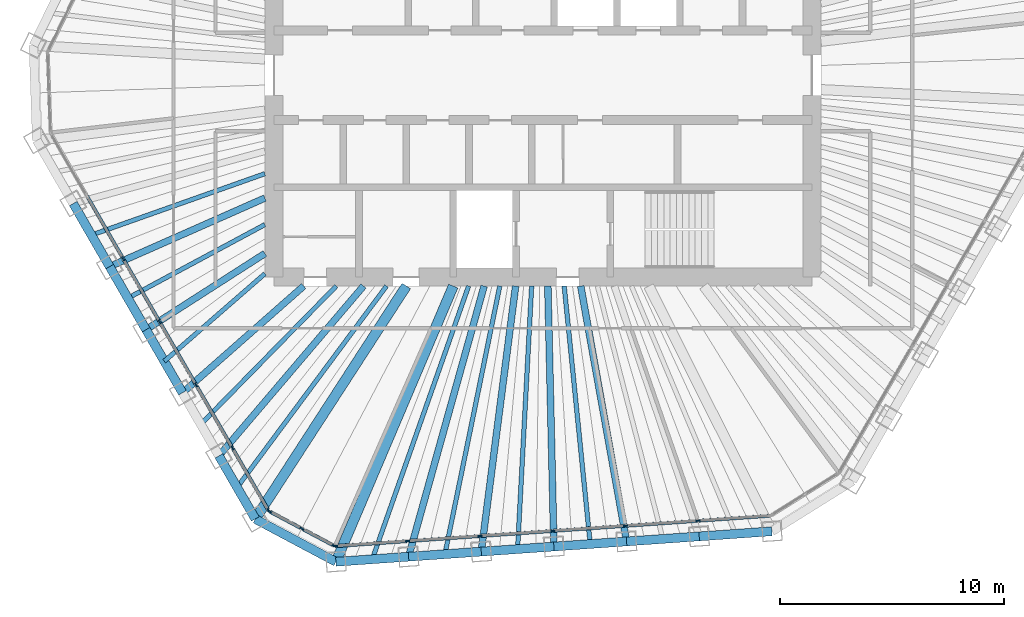
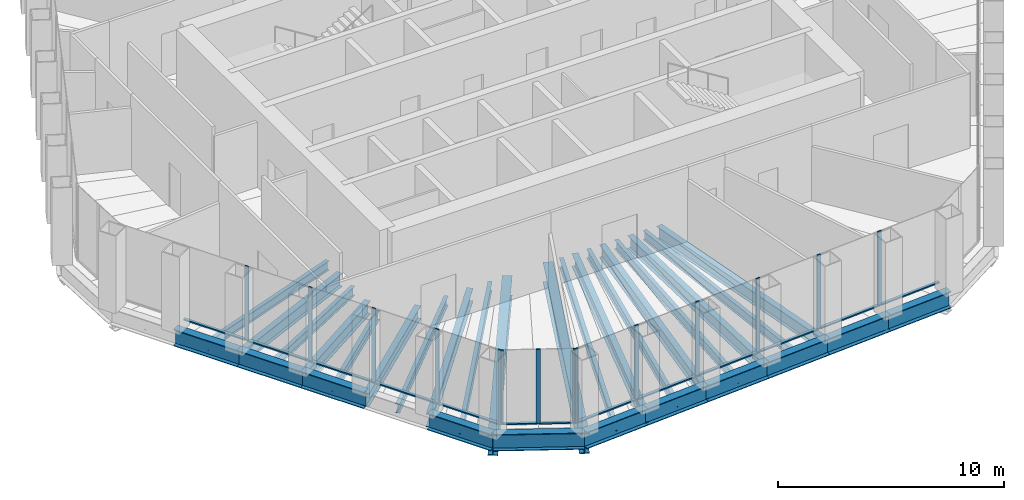
# One storey, part 2 of 15: 30 beams, 27 members, 3 elements without a shape of their own.
"""IFC4 building model written with IfcOpenShell, lengths in metres."""

from ifc_helpers import new_model, si_unit, direction, frame, origin, origin_2d, place, context, subcontext, project, spatial, rectangle, i_section, extrude, material, material_profile, profile_set, type_object, element, aggregate, save


model = new_model("IFC4")

# Units and contexts
model_context = context("Model", 3, precision=1e-05, world=origin(), true_north=direction((0.0, 1.0)))
body_context = subcontext(model_context, "Body", "Model", "MODEL_VIEW")
ifc_project = project(units=[si_unit("LENGTHUNIT", "METRE"), si_unit("AREAUNIT", "SQUARE_METRE"), si_unit("VOLUMEUNIT", "CUBIC_METRE"), si_unit("PLANEANGLEUNIT", "RADIAN"), si_unit("MASSUNIT", "GRAM", prefix="KILO")], contexts=[model_context])

# Site, building, storey
site_placement = place(None, origin())
site = spatial("IfcSite", under=ifc_project, at=site_placement, CompositionType="ELEMENT")
building_placement = place(site_placement, origin())
building = spatial("IfcBuilding", under=site, at=building_placement, Name="Qingtian Harvest Tower", CompositionType="ELEMENT")
storey_placement = place(building_placement, frame((0.0, 0.0, 312.39990234375)))
storey = spatial("IfcBuildingStorey", under=building, at=storey_placement, Name="L69", CompositionType="ELEMENT", Elevation=312.39990234375)

# Beams
ifc_material_1 = material(Name="Steel SM570MC", Category="steel")
ifc_material_profile_1 = material_profile(ifc_material_1, i_section(OverallWidth=0.449951171875, OverallDepth=1.10009765625, WebThickness=0.02197265625, FlangeThickness=0.044921875, at=origin_2d()), Name="H1100x450x22x45")
ifc_profile_set_1 = profile_set([ifc_material_profile_1], Name="Steel SM570MC")
beam_type_1 = type_object("IfcBeamType", Name="Corner floor beam FB8 H1100x450x22x45", PredefinedType="BEAM", material=ifc_profile_set_1)
beam_1_placement = place(storey_placement, frame((-9.231201171875, -21.69677734375, -0.719970703125), z_axis=(0.391505797179, 0.920175641264, 0.0), x_axis=(-0.920175641264, 0.391505797179, 0.0)))
element("IfcBeam", 1, at=beam_1_placement, inside=storey, type_object=beam_type_1, Name="Floor beam FB8 S6", PredefinedType="BEAM", context=body_context, shape_type="SweptSolid", body=[
    extrude(i_section(OverallWidth=0.449951171875, OverallDepth=1.10009765625, WebThickness=0.02197265625, FlangeThickness=0.044921875, at=origin_2d()), origin(), (0.0, 0.0, 1.0), 13.363525390625),
])
beam_2_placement = place(storey_placement, frame((-12.825439453125, -19.78564453125, -0.719970703125), z_axis=(0.543934037964, 0.839127977334, 0.0), x_axis=(-0.839127977334, 0.543934037964, 0.0)))
element("IfcBeam", 2, at=beam_2_placement, inside=storey, type_object=beam_type_1, Name="Floor beam FB8 SW0", PredefinedType="BEAM", context=body_context, shape_type="SweptSolid", body=[
    extrude(i_section(OverallWidth=0.449951171875, OverallDepth=1.10009765625, WebThickness=0.02197265625, FlangeThickness=0.044921875, at=origin_2d()), origin(), (0.0, 0.0, 1.0), 12.376708984375),
])
ifc_material_2 = material(Name="Steel SN490B", Category="steel")
ifc_material_profile_2 = material_profile(ifc_material_2, i_section(OverallWidth=0.300048828125, OverallDepth=0.699951171875, WebThickness=0.012939453125, FlangeThickness=0.02392578125, at=origin_2d()), Name="H700x300x13x24")
ifc_profile_set_2 = profile_set([ifc_material_profile_2], Name="Steel SN490B")
beam_type_2 = type_object("IfcBeamType", Name="Floor beam FB4 H700x300x13x24", PredefinedType="BEAM", material=ifc_profile_set_2)
beam_3_placement = place(storey_placement, frame((3.729248046875, -20.79052734375, -0.52001953125), z_axis=(-0.176558725829, 0.984290107811, 0.0), x_axis=(-0.984290107811, -0.176558725829, 0.0)))
element("IfcBeam", 3, at=beam_3_placement, inside=storey, type_object=beam_type_2, Name="Floor beam FB4 S2", PredefinedType="BEAM", context=body_context, shape_type="SweptSolid", body=[
    extrude(i_section(OverallWidth=0.300048828125, OverallDepth=0.699951171875, WebThickness=0.012939453125, FlangeThickness=0.02392578125, at=origin_2d()), origin(), (0.0, 0.0, 1.0), 11.572509765625),
])
beam_4_placement = place(storey_placement, frame((0.489013671875, -21.01708984375, -0.52001953125), z_axis=(-0.023257829451, 0.9997295001, 0.0), x_axis=(-0.9997295001, -0.023257829451, 0.0)))
element("IfcBeam", 4, at=beam_4_placement, inside=storey, type_object=beam_type_2, Name="Floor beam FB4 S3", PredefinedType="BEAM", context=body_context, shape_type="SweptSolid", body=[
    extrude(i_section(OverallWidth=0.300048828125, OverallDepth=0.699951171875, WebThickness=0.012939453125, FlangeThickness=0.02392578125, at=origin_2d()), origin(), (0.0, 0.0, 1.0), 11.620361328125),
])
beam_5_placement = place(storey_placement, frame((-2.7509765625, -21.24365234375, -0.52001953125), z_axis=(0.128421483878, 0.991719679385, 0.0), x_axis=(-0.991719679385, 0.128421483878, 0.0)))
element("IfcBeam", 5, at=beam_5_placement, inside=storey, type_object=beam_type_2, Name="Floor beam FB4 S4", PredefinedType="BEAM", context=body_context, shape_type="SweptSolid", body=[
    extrude(i_section(OverallWidth=0.300048828125, OverallDepth=0.699951171875, WebThickness=0.012939453125, FlangeThickness=0.02392578125, at=origin_2d()), origin(), (0.0, 0.0, 1.0), 11.942626953125),
])
beam_6_placement = place(storey_placement, frame((-5.9912109375, -21.47021484375, -0.52001953125), z_axis=(0.268777110088, 0.963202400896, 0.0), x_axis=(-0.963202400896, 0.268777110088, 0.0)))
element("IfcBeam", 6, at=beam_6_placement, inside=storey, type_object=beam_type_2, Name="Floor beam FB4 S5", PredefinedType="BEAM", context=body_context, shape_type="SweptSolid", body=[
    extrude(i_section(OverallWidth=0.300048828125, OverallDepth=0.699951171875, WebThickness=0.012939453125, FlangeThickness=0.02392578125, at=origin_2d()), origin(), (0.0, 0.0, 1.0), 12.531494140625),
])
beam_7_placement = place(storey_placement, frame((-14.449462890625, -16.972900390625, -0.52001953125), z_axis=(0.648230392117, 0.761444258457, 0.0), x_axis=(-0.761444258457, 0.648230392117, 0.0)))
element("IfcBeam", 7, at=beam_7_placement, inside=storey, type_object=beam_type_2, Name="Floor beam FB4 SW1", PredefinedType="BEAM", context=body_context, shape_type="SweptSolid", body=[
    extrude(i_section(OverallWidth=0.300048828125, OverallDepth=0.699951171875, WebThickness=0.012939453125, FlangeThickness=0.02392578125, at=origin_2d()), origin(), (0.0, 0.0, 1.0), 9.945556640625),
])
beam_8_placement = place(storey_placement, frame((-16.073486328125, -14.159912109375, -0.52001953125), z_axis=(0.750362998803, 0.661025997997, 0.0), x_axis=(-0.661025997997, 0.750362998803, 0.0)))
element("IfcBeam", 8, at=beam_8_placement, inside=storey, type_object=beam_type_2, Name="Floor beam FB4 SW2", PredefinedType="BEAM", context=body_context, shape_type="SweptSolid", body=[
    extrude(i_section(OverallWidth=0.300048828125, OverallDepth=0.699951171875, WebThickness=0.012939453125, FlangeThickness=0.02392578125, at=origin_2d()), origin(), (0.0, 0.0, 1.0), 7.200927734375),
])
beam_9_placement = place(storey_placement, frame((-17.697509765625, -11.34716796875, -0.52001953125), z_axis=(0.841819476537, 0.539759176785, 0.0), x_axis=(-0.539759176785, 0.841819476537, 0.0)))
element("IfcBeam", 9, at=beam_9_placement, inside=storey, type_object=beam_type_2, Name="Floor beam FB4 SW3", PredefinedType="BEAM", context=body_context, shape_type="SweptSolid", body=[
    extrude(i_section(OverallWidth=0.300048828125, OverallDepth=0.699951171875, WebThickness=0.012939453125, FlangeThickness=0.02392578125, at=origin_2d()), origin(), (0.0, 0.0, 1.0), 6.29296875),
])
beam_10_placement = place(storey_placement, frame((-19.321533203125, -8.5341796875, -0.52001953125), z_axis=(0.914748451897, 0.404023848, 0.0), x_axis=(-0.404023848, 0.914748451897, 0.0)))
element("IfcBeam", 10, at=beam_10_placement, inside=storey, type_object=beam_type_2, Name="Floor beam FB4 SW4", PredefinedType="BEAM", context=body_context, shape_type="SweptSolid", body=[
    extrude(i_section(OverallWidth=0.300048828125, OverallDepth=0.699951171875, WebThickness=0.012939453125, FlangeThickness=0.02392578125, at=origin_2d()), origin(), (0.0, 0.0, 1.0), 7.566650390625),
])
ifc_material_3 = material(Name="Steel SN490B", Category="steel")
ifc_material_profile_3 = material_profile(ifc_material_3, i_section(OverallWidth=0.199951171875, OverallDepth=0.5, WebThickness=0.010009765625, FlangeThickness=0.01611328125, at=origin_2d()), Name="H500x200x10x16")
ifc_profile_set_3 = profile_set([ifc_material_profile_3], Name="Steel SN490B")
beam_type_3 = type_object("IfcBeamType", Name="Floor joist J3 H500x200x10x16", PredefinedType="JOIST", material=ifc_profile_set_3)
beam_11_placement = place(storey_placement, frame((2.109130859375, -20.90380859375, -0.419921875), z_axis=(-0.100381738783, 0.994948996943, 0.0), x_axis=(-0.994948996943, -0.100381738783, 0.0)))
element("IfcBeam", 11, at=beam_11_placement, inside=storey, type_object=beam_type_3, Name="Floor joist J3 S2", PredefinedType="JOIST", context=body_context, shape_type="SweptSolid", body=[
    extrude(i_section(OverallWidth=0.199951171875, OverallDepth=0.5, WebThickness=0.010009765625, FlangeThickness=0.01611328125, at=origin_2d()), origin(), (0.0, 0.0, 1.0), 11.562255859375),
])
beam_12_placement = place(storey_placement, frame((-1.130859375, -21.13037109375, -0.419921875), z_axis=(0.053432551321, 0.998571460868, 0.0), x_axis=(-0.998571460868, 0.053432551321, 0.0)))
element("IfcBeam", 12, at=beam_12_placement, inside=storey, type_object=beam_type_3, Name="Floor joist J3 S3", PredefinedType="JOIST", context=body_context, shape_type="SweptSolid", body=[
    extrude(i_section(OverallWidth=0.199951171875, OverallDepth=0.5, WebThickness=0.010009765625, FlangeThickness=0.01611328125, at=origin_2d()), origin(), (0.0, 0.0, 1.0), 11.747314453125),
])
beam_13_placement = place(storey_placement, frame((-4.37109375, -21.35693359375, -0.419921875), z_axis=(0.200514926646, 0.97969064719, 0.0), x_axis=(-0.97969064719, 0.200514926646, 0.0)))
element("IfcBeam", 13, at=beam_13_placement, inside=storey, type_object=beam_type_3, Name="Floor joist J3 S4", PredefinedType="JOIST", context=body_context, shape_type="SweptSolid", body=[
    extrude(i_section(OverallWidth=0.199951171875, OverallDepth=0.5, WebThickness=0.010009765625, FlangeThickness=0.01611328125, at=origin_2d()), origin(), (0.0, 0.0, 1.0), 12.204833984375),
])
beam_14_placement = place(storey_placement, frame((-7.611083984375, -21.58349609375, -0.419921875), z_axis=(0.332565071267, 0.9430803112, 0.0), x_axis=(-0.9430803112, 0.332565071267, 0.0)))
element("IfcBeam", 14, at=beam_14_placement, inside=storey, type_object=beam_type_3, Name="Floor joist J3 S5", PredefinedType="JOIST", context=body_context, shape_type="SweptSolid", body=[
    extrude(i_section(OverallWidth=0.199951171875, OverallDepth=0.5, WebThickness=0.010009765625, FlangeThickness=0.01611328125, at=origin_2d()), origin(), (0.0, 0.0, 1.0), 12.9189453125),
])
beam_15_placement = place(storey_placement, frame((-13.637451171875, -18.37939453125, -0.419921875), z_axis=(0.595869637911, 0.803081175608, 0.0), x_axis=(-0.803081175608, 0.595869637911, 0.0)))
element("IfcBeam", 15, at=beam_15_placement, inside=storey, type_object=beam_type_3, Name="Floor joist J3 SW0", PredefinedType="JOIST", context=body_context, shape_type="SweptSolid", body=[
    extrude(i_section(OverallWidth=0.199951171875, OverallDepth=0.5, WebThickness=0.010009765625, FlangeThickness=0.01611328125, at=origin_2d()), origin(), (0.0, 0.0, 1.0), 11.181396484375),
])
beam_16_placement = place(storey_placement, frame((-15.261474609375, -15.56640625, -0.419921875), z_axis=(0.700075085428, 0.714069236673, 0.0), x_axis=(-0.714069236673, 0.700075085428, 0.0)))
element("IfcBeam", 16, at=beam_16_placement, inside=storey, type_object=beam_type_3, Name="Floor joist J3 SW1", PredefinedType="JOIST", context=body_context, shape_type="SweptSolid", body=[
    extrude(i_section(OverallWidth=0.199951171875, OverallDepth=0.5, WebThickness=0.010009765625, FlangeThickness=0.01611328125, at=origin_2d()), origin(), (0.0, 0.0, 1.0), 8.6357421875),
])
beam_17_placement = place(storey_placement, frame((-16.885498046875, -12.753662109375, -0.419921875), z_axis=(0.754351783553, 0.656470400437, 0.0), x_axis=(-0.656470400437, 0.754351783553, 0.0)))
element("IfcBeam", 17, at=beam_17_placement, inside=storey, type_object=beam_type_3, Name="Floor joist J3 SW2", PredefinedType="JOIST", context=body_context, shape_type="SweptSolid", body=[
    extrude(i_section(OverallWidth=0.199951171875, OverallDepth=0.5, WebThickness=0.010009765625, FlangeThickness=0.01611328125, at=origin_2d()), origin(), (0.0, 0.0, 1.0), 5.9462890625),
])
beam_18_placement = place(storey_placement, frame((-18.509521484375, -9.940673828125, -0.419921875), z_axis=(0.880999592364, 0.473117023847, 0.0), x_axis=(-0.473117023847, 0.880999592364, 0.0)))
element("IfcBeam", 18, at=beam_18_placement, inside=storey, type_object=beam_type_3, Name="Floor joist J3 SW3", PredefinedType="JOIST", context=body_context, shape_type="SweptSolid", body=[
    extrude(i_section(OverallWidth=0.199951171875, OverallDepth=0.5, WebThickness=0.010009765625, FlangeThickness=0.01611328125, at=origin_2d()), origin(), (0.0, 0.0, 1.0), 6.934814453125),
])
beam_19_placement = place(storey_placement, frame((-20.133544921875, -7.1279296875, -0.419921875), z_axis=(0.942664093486, 0.333743025174, 0.0), x_axis=(-0.333743025174, 0.942664093486, 0.0)))
element("IfcBeam", 19, at=beam_19_placement, inside=storey, type_object=beam_type_3, Name="Floor joist J3 SW4", PredefinedType="JOIST", context=body_context, shape_type="SweptSolid", body=[
    extrude(i_section(OverallWidth=0.199951171875, OverallDepth=0.5, WebThickness=0.010009765625, FlangeThickness=0.01611328125, at=origin_2d()), origin(), (0.0, 0.0, 1.0), 8.2041015625),
])

# Curtain wall, members
ifc_material_4 = material(Name="Bronze-anodised aluminium curtain wall", Category="aluminium")
curtain_wall_type = type_object("IfcCurtainWallType", Name="Curtain wall CW5 upper office", PredefinedType="USERDEFINED", material=ifc_material_4)
curtain_wall_1_placement = place(storey_placement, origin())
curtain_wall_1 = element("IfcCurtainWall", 20, at=curtain_wall_1_placement, inside=storey, type_object=curtain_wall_type, Name="Curtain wall CW5 L69 S0-5", ObjectType="RECESSED CURTAIN WALL", PredefinedType="USERDEFINED")
ifc_material_5 = material(Name="Bronze-anodised aluminium mullion", Category="aluminium")
ifc_material_profile_4 = material_profile(ifc_material_5, rectangle(XDim=0.06494140625, YDim=0.199951171875, at=origin_2d()), Name="AL 65x200")
ifc_profile_set_4 = profile_set([ifc_material_profile_4], Name="Bronze-anodised aluminium mullion")
member_type_1 = type_object("IfcMemberType", Name="Mullion CWM 65x200", PredefinedType="MULLION", material=ifc_profile_set_4)
member_1_placement = place(storey_placement, frame((6.92041015625, -19.86572265625, 0.0), z_axis=(0.0, 0.0, 1.0), x_axis=(0.069756473744, -0.99756405026, 0.0)))
member_1 = element("IfcMember", 21, at=member_1_placement, type_object=member_type_1, Name="CW5 mullion 2", PredefinedType="MULLION", context=body_context, shape_type="SweptSolid", body=[
    extrude(rectangle(XDim=0.06494140625, YDim=0.199951171875, at=origin_2d()), origin(), (0.0, 0.0, 1.0), 4.030029296875),
])
member_2_placement = place(storey_placement, frame((3.680419921875, -20.09228515625, 0.0), z_axis=(0.0, 0.0, 1.0), x_axis=(0.069756473744, -0.99756405026, 0.0)))
member_2 = element("IfcMember", 22, at=member_2_placement, type_object=member_type_1, Name="CW5 mullion 3", PredefinedType="MULLION", context=body_context, shape_type="SweptSolid", body=[
    extrude(rectangle(XDim=0.06494140625, YDim=0.199951171875, at=origin_2d()), origin(), (0.0, 0.0, 1.0), 4.030029296875),
])
member_3_placement = place(storey_placement, frame((0.440185546875, -20.31884765625, 0.0), z_axis=(0.0, 0.0, 1.0), x_axis=(0.069756473744, -0.99756405026, 0.0)))
member_3 = element("IfcMember", 23, at=member_3_placement, type_object=member_type_1, Name="CW5 mullion 4", PredefinedType="MULLION", context=body_context, shape_type="SweptSolid", body=[
    extrude(rectangle(XDim=0.06494140625, YDim=0.199951171875, at=origin_2d()), origin(), (0.0, 0.0, 1.0), 4.030029296875),
])
member_4_placement = place(storey_placement, frame((-2.7998046875, -20.54541015625, 0.0), z_axis=(0.0, 0.0, 1.0), x_axis=(0.069756473744, -0.99756405026, 0.0)))
member_4 = element("IfcMember", 24, at=member_4_placement, type_object=member_type_1, Name="CW5 mullion 5", PredefinedType="MULLION", context=body_context, shape_type="SweptSolid", body=[
    extrude(rectangle(XDim=0.06494140625, YDim=0.199951171875, at=origin_2d()), origin(), (0.0, 0.0, 1.0), 4.030029296875),
])
member_5_placement = place(storey_placement, frame((-6.0400390625, -20.77197265625, 0.0), z_axis=(0.0, 0.0, 1.0), x_axis=(0.069756473744, -0.99756405026, 0.0)))
member_5 = element("IfcMember", 25, at=member_5_placement, type_object=member_type_1, Name="CW5 mullion 6", PredefinedType="MULLION", context=body_context, shape_type="SweptSolid", body=[
    extrude(rectangle(XDim=0.06494140625, YDim=0.199951171875, at=origin_2d()), origin(), (0.0, 0.0, 1.0), 4.030029296875),
])
member_6_placement = place(storey_placement, frame((-9.24755859375, -20.996337890625, 0.0), z_axis=(0.0, 0.0, 1.0), x_axis=(0.069756473744, -0.99756405026, 0.0)))
member_6 = element("IfcMember", 26, at=member_6_placement, type_object=member_type_1, Name="CW5 mullion 7", PredefinedType="MULLION", context=body_context, shape_type="SweptSolid", body=[
    extrude(rectangle(XDim=0.06494140625, YDim=0.199951171875, at=origin_2d()), origin(), (0.0, 0.0, 1.0), 4.030029296875),
])

curtain_wall_2_placement = place(storey_placement, origin())
curtain_wall_2 = element("IfcCurtainWall", 27, at=curtain_wall_2_placement, inside=storey, type_object=curtain_wall_type, Name="Curtain wall CW5 L69 SC", ObjectType="RECESSED CURTAIN WALL", PredefinedType="USERDEFINED")
member_7_placement = place(storey_placement, frame((-9.308837890625, -20.983154296875, 0.0), z_axis=(0.0, 0.0, 1.0), x_axis=(-0.469471562786, -0.882947592859, 0.0)))
member_7 = element("IfcMember", 28, at=member_7_placement, type_object=member_type_1, Name="CW5 mullion 1", PredefinedType="MULLION", context=body_context, shape_type="SweptSolid", body=[
    extrude(rectangle(XDim=0.06494140625, YDim=0.199951171875, at=origin_2d()), origin(), (0.0, 0.0, 1.0), 4.030029296875),
])
member_8_placement = place(storey_placement, frame((-10.749755859375, -20.217041015625, 0.0), z_axis=(0.0, 0.0, 1.0), x_axis=(-0.469471562786, -0.882947592859, 0.0)))
member_8 = element("IfcMember", 29, at=member_8_placement, type_object=member_type_1, Name="CW5 mullion 2", PredefinedType="MULLION", context=body_context, shape_type="SweptSolid", body=[
    extrude(rectangle(XDim=0.06494140625, YDim=0.199951171875, at=origin_2d()), origin(), (0.0, 0.0, 1.0), 4.030029296875),
])
member_9_placement = place(storey_placement, frame((-12.1904296875, -19.450927734375, 0.0), z_axis=(0.0, 0.0, 1.0), x_axis=(-0.469471562786, -0.882947592859, 0.0)))
member_9 = element("IfcMember", 30, at=member_9_placement, type_object=member_type_1, Name="CW5 mullion 3", PredefinedType="MULLION", context=body_context, shape_type="SweptSolid", body=[
    extrude(rectangle(XDim=0.06494140625, YDim=0.199951171875, at=origin_2d()), origin(), (0.0, 0.0, 1.0), 4.030029296875),
])

curtain_wall_3_placement = place(storey_placement, origin())
curtain_wall_3 = element("IfcCurtainWall", 31, at=curtain_wall_3_placement, inside=storey, type_object=curtain_wall_type, Name="Curtain wall CW5 L69 SW0-5", ObjectType="RECESSED CURTAIN WALL", PredefinedType="USERDEFINED")
member_10_placement = place(storey_placement, frame((-12.2353515625, -19.40771484375, 0.0), z_axis=(0.0, 0.0, 1.0), x_axis=(-0.866025403784, -0.5, 0.0)))
member_10 = element("IfcMember", 32, at=member_10_placement, type_object=member_type_1, Name="CW5 mullion 1", PredefinedType="MULLION", context=body_context, shape_type="SweptSolid", body=[
    extrude(rectangle(XDim=0.06494140625, YDim=0.199951171875, at=origin_2d()), origin(), (0.0, 0.0, 1.0), 4.030029296875),
])
member_11_placement = place(storey_placement, frame((-13.84326171875, -16.622802734375, 0.0), z_axis=(0.0, 0.0, 1.0), x_axis=(-0.866025403784, -0.5, 0.0)))
member_11 = element("IfcMember", 33, at=member_11_placement, type_object=member_type_1, Name="CW5 mullion 2", PredefinedType="MULLION", context=body_context, shape_type="SweptSolid", body=[
    extrude(rectangle(XDim=0.06494140625, YDim=0.199951171875, at=origin_2d()), origin(), (0.0, 0.0, 1.0), 4.030029296875),
])
member_12_placement = place(storey_placement, frame((-15.46728515625, -13.81005859375, 0.0), z_axis=(0.0, 0.0, 1.0), x_axis=(-0.866025403784, -0.5, 0.0)))
member_12 = element("IfcMember", 34, at=member_12_placement, type_object=member_type_1, Name="CW5 mullion 3", PredefinedType="MULLION", context=body_context, shape_type="SweptSolid", body=[
    extrude(rectangle(XDim=0.06494140625, YDim=0.199951171875, at=origin_2d()), origin(), (0.0, 0.0, 1.0), 4.030029296875),
])
member_13_placement = place(storey_placement, frame((-17.09130859375, -10.9970703125, 0.0), z_axis=(0.0, 0.0, 1.0), x_axis=(-0.866025403784, -0.5, 0.0)))
member_13 = element("IfcMember", 35, at=member_13_placement, type_object=member_type_1, Name="CW5 mullion 4", PredefinedType="MULLION", context=body_context, shape_type="SweptSolid", body=[
    extrude(rectangle(XDim=0.06494140625, YDim=0.199951171875, at=origin_2d()), origin(), (0.0, 0.0, 1.0), 4.030029296875),
])
member_14_placement = place(storey_placement, frame((-18.71533203125, -8.184326171875, 0.0), z_axis=(0.0, 0.0, 1.0), x_axis=(-0.866025403784, -0.5, 0.0)))
member_14 = element("IfcMember", 36, at=member_14_placement, type_object=member_type_1, Name="CW5 mullion 5", PredefinedType="MULLION", context=body_context, shape_type="SweptSolid", body=[
    extrude(rectangle(XDim=0.06494140625, YDim=0.199951171875, at=origin_2d()), origin(), (0.0, 0.0, 1.0), 4.030029296875),
])

# Beams
ifc_material_6 = material(Name="Steel SN490B", Category="steel")
ifc_material_profile_5 = material_profile(ifc_material_6, i_section(OverallWidth=0.39990234375, OverallDepth=0.89990234375, WebThickness=0.01904296875, FlangeThickness=0.035888671875, at=origin_2d()), Name="H900x400x19x36")
ifc_profile_set_5 = profile_set([ifc_material_profile_5], Name="Steel SN490B")
beam_type_4 = type_object("IfcBeamType", Name="Spandrel beam SB4 H900x400x19x36", PredefinedType="SPANDREL", material=ifc_profile_set_5)
beam_20_placement = place(storey_placement, frame((10.20947265625, -20.33740234375, -0.449951171875), z_axis=(-0.9975644093, -0.069751339047, 0.0), x_axis=(0.069751339047, -0.9975644093, 0.0)))
element("IfcBeam", 37, at=beam_20_placement, inside=storey, type_object=beam_type_4, Name="Spandrel SB4 S0", PredefinedType="SPANDREL", context=body_context, shape_type="SweptSolid", body=[
    extrude(i_section(OverallWidth=0.39990234375, OverallDepth=0.89990234375, WebThickness=0.01904296875, FlangeThickness=0.035888671875, at=origin_2d()), origin(), (0.0, 0.0, 1.0), 3.248046875),
])
beam_21_placement = place(storey_placement, frame((6.96923828125, -20.56396484375, -0.449951171875), z_axis=(-0.997564043571, -0.069756569394, 0.0), x_axis=(0.069756569394, -0.997564043571, 0.0)))
element("IfcBeam", 38, at=beam_21_placement, inside=storey, type_object=beam_type_4, Name="Spandrel SB4 S1", PredefinedType="SPANDREL", context=body_context, shape_type="SweptSolid", body=[
    extrude(i_section(OverallWidth=0.39990234375, OverallDepth=0.89990234375, WebThickness=0.01904296875, FlangeThickness=0.035888671875, at=origin_2d()), origin(), (0.0, 0.0, 1.0), 3.247802734375),
])
beam_22_placement = place(storey_placement, frame((3.729248046875, -20.79052734375, -0.449951171875), z_axis=(-0.9975644093, -0.069751339047, 0.0), x_axis=(0.069751339047, -0.9975644093, 0.0)))
element("IfcBeam", 39, at=beam_22_placement, inside=storey, type_object=beam_type_4, Name="Spandrel SB4 S2", PredefinedType="SPANDREL", context=body_context, shape_type="SweptSolid", body=[
    extrude(i_section(OverallWidth=0.39990234375, OverallDepth=0.89990234375, WebThickness=0.01904296875, FlangeThickness=0.035888671875, at=origin_2d()), origin(), (0.0, 0.0, 1.0), 3.248046875),
])
beam_23_placement = place(storey_placement, frame((0.489013671875, -21.01708984375, -0.449951171875), z_axis=(-0.997564043571, -0.069756569394, 0.0), x_axis=(0.069756569394, -0.997564043571, 0.0)))
element("IfcBeam", 40, at=beam_23_placement, inside=storey, type_object=beam_type_4, Name="Spandrel SB4 S3", PredefinedType="SPANDREL", context=body_context, shape_type="SweptSolid", body=[
    extrude(i_section(OverallWidth=0.39990234375, OverallDepth=0.89990234375, WebThickness=0.01904296875, FlangeThickness=0.035888671875, at=origin_2d()), origin(), (0.0, 0.0, 1.0), 3.247802734375),
])
beam_24_placement = place(storey_placement, frame((-2.7509765625, -21.24365234375, -0.449951171875), z_axis=(-0.9975644093, -0.069751339047, 0.0), x_axis=(0.069751339047, -0.9975644093, 0.0)))
element("IfcBeam", 41, at=beam_24_placement, inside=storey, type_object=beam_type_4, Name="Spandrel SB4 S4", PredefinedType="SPANDREL", context=body_context, shape_type="SweptSolid", body=[
    extrude(i_section(OverallWidth=0.39990234375, OverallDepth=0.89990234375, WebThickness=0.01904296875, FlangeThickness=0.035888671875, at=origin_2d()), origin(), (0.0, 0.0, 1.0), 3.248046875),
])
beam_25_placement = place(storey_placement, frame((-5.9912109375, -21.47021484375, -0.449951171875), z_axis=(-0.997564043571, -0.069756569394, 0.0), x_axis=(0.069756569394, -0.997564043571, 0.0)))
element("IfcBeam", 42, at=beam_25_placement, inside=storey, type_object=beam_type_4, Name="Spandrel SB4 S5", PredefinedType="SPANDREL", context=body_context, shape_type="SweptSolid", body=[
    extrude(i_section(OverallWidth=0.39990234375, OverallDepth=0.89990234375, WebThickness=0.01904296875, FlangeThickness=0.035888671875, at=origin_2d()), origin(), (0.0, 0.0, 1.0), 3.247802734375),
])
beam_26_placement = place(storey_placement, frame((-9.231201171875, -21.69677734375, -0.449951171875), z_axis=(-0.882943273379, 0.469479686456, 0.0), x_axis=(-0.469479686456, -0.882943273379, 0.0)))
element("IfcBeam", 43, at=beam_26_placement, inside=storey, type_object=beam_type_4, Name="Spandrel SB4 SC", PredefinedType="SPANDREL", context=body_context, shape_type="SweptSolid", body=[
    extrude(i_section(OverallWidth=0.39990234375, OverallDepth=0.89990234375, WebThickness=0.01904296875, FlangeThickness=0.035888671875, at=origin_2d()), origin(), (0.0, 0.0, 1.0), 4.07080078125),
])
for number, where, z_axis, x_axis, name in (
    (44, (-12.825439453125, -19.78564453125, -0.449951171875), (-0.500019593356, 0.866014091259, 0.0), (-0.866014091259, -0.500019593356, 0.0), "Spandrel SB4 SW0"),
    (45, (-16.073486328125, -14.159912109375, -0.449951171875), (-0.500019593356, 0.866014091259, 0.0), (-0.866014091259, -0.500019593356, 0.0), "Spandrel SB4 SW2"),
):
    element("IfcBeam", number, at=place(storey_placement, frame(where, z_axis=z_axis, x_axis=x_axis)), inside=storey, type_object=beam_type_4, Name=name, PredefinedType="SPANDREL", context=body_context, shape_type="SweptSolid", body=[
        extrude(i_section(OverallWidth=0.39990234375, OverallDepth=0.89990234375, WebThickness=0.01904296875, FlangeThickness=0.035888671875, at=origin_2d()), origin(), (0.0, 0.0, 1.0), 3.247802734375),
    ])
beam_27_placement = place(storey_placement, frame((-17.697509765625, -11.34716796875, -0.449951171875), z_axis=(-0.499987045439, 0.866032882975, 0.0), x_axis=(-0.866032882975, -0.499987045439, 0.0)))
element("IfcBeam", 46, at=beam_27_placement, inside=storey, type_object=beam_type_4, Name="Spandrel SB4 SW3", PredefinedType="SPANDREL", context=body_context, shape_type="SweptSolid", body=[
    extrude(i_section(OverallWidth=0.39990234375, OverallDepth=0.89990234375, WebThickness=0.01904296875, FlangeThickness=0.035888671875, at=origin_2d()), origin(), (0.0, 0.0, 1.0), 3.248046875),
])
beam_28_placement = place(storey_placement, frame((-19.321533203125, -8.5341796875, -0.449951171875), z_axis=(-0.500019593356, 0.866014091259, 0.0), x_axis=(-0.866014091259, -0.500019593356, 0.0)))
element("IfcBeam", 47, at=beam_28_placement, inside=storey, type_object=beam_type_4, Name="Spandrel SB4 SW4", PredefinedType="SPANDREL", context=body_context, shape_type="SweptSolid", body=[
    extrude(i_section(OverallWidth=0.39990234375, OverallDepth=0.89990234375, WebThickness=0.01904296875, FlangeThickness=0.035888671875, at=origin_2d()), origin(), (0.0, 0.0, 1.0), 3.247802734375),
])

# Member
ifc_material_7 = material(Name="Bronze-anodised aluminium transom", Category="aluminium")
ifc_material_profile_6 = material_profile(ifc_material_7, rectangle(XDim=0.14990234375, YDim=0.06494140625, at=origin_2d()), Name="AL 65x150")
ifc_profile_set_6 = profile_set([ifc_material_profile_6], Name="Bronze-anodised aluminium transom")
member_type_2 = type_object("IfcMemberType", Name="Transom CWT 65x150", PredefinedType="USERDEFINED", material=ifc_profile_set_6)
member_15_placement = place(storey_placement, frame((10.095703125, -19.6435546875, 0.03271484375), z_axis=(-0.997564955301, -0.069743529851, 0.0), x_axis=(0.069743529851, -0.997564955301, 0.0)))
member_15 = element("IfcMember", 48, at=member_15_placement, type_object=member_type_2, Name="CW5 transom 1.1", ObjectType="TRANSOM", PredefinedType="USERDEFINED", context=body_context, shape_type="SweptSolid", body=[
    extrude(rectangle(XDim=0.14990234375, YDim=0.06494140625, at=origin_2d()), origin(), (0.0, 0.0, 1.0), 3.150390625),
])

member_16_placement = place(storey_placement, frame((6.88818359375, -19.867919921875, 0.03271484375), z_axis=(-0.997566548107, -0.069720743674, 0.0), x_axis=(0.069720743674, -0.997566548107, 0.0)))
member_16 = element("IfcMember", 49, at=member_16_placement, type_object=member_type_2, Name="CW5 transom 2.1", ObjectType="TRANSOM", PredefinedType="USERDEFINED", context=body_context, shape_type="SweptSolid", body=[
    extrude(rectangle(XDim=0.14990234375, YDim=0.06494140625, at=origin_2d()), origin(), (0.0, 0.0, 1.0), 3.18310546875),
])

member_17_placement = place(storey_placement, frame((3.64794921875, -20.094482421875, 0.03271484375), z_axis=(-0.997566548107, -0.069720743674, 0.0), x_axis=(0.069720743674, -0.997566548107, 0.0)))
member_17 = element("IfcMember", 50, at=member_17_placement, type_object=member_type_2, Name="CW5 transom 3.1", ObjectType="TRANSOM", PredefinedType="USERDEFINED", context=body_context, shape_type="SweptSolid", body=[
    extrude(rectangle(XDim=0.14990234375, YDim=0.06494140625, at=origin_2d()), origin(), (0.0, 0.0, 1.0), 3.18310546875),
])

member_18_placement = place(storey_placement, frame((0.407958984375, -20.321044921875, 0.03271484375), z_axis=(-0.997566548107, -0.069720743674, 0.0), x_axis=(0.069720743674, -0.997566548107, 0.0)))
member_18 = element("IfcMember", 51, at=member_18_placement, type_object=member_type_2, Name="CW5 transom 4.1", ObjectType="TRANSOM", PredefinedType="USERDEFINED", context=body_context, shape_type="SweptSolid", body=[
    extrude(rectangle(XDim=0.14990234375, YDim=0.06494140625, at=origin_2d()), origin(), (0.0, 0.0, 1.0), 3.18310546875),
])

member_19_placement = place(storey_placement, frame((-2.832275390625, -20.547607421875, 0.03271484375), z_axis=(-0.997561210613, -0.06979707071, 0.0), x_axis=(0.06979707071, -0.997561210613, 0.0)))
member_19 = element("IfcMember", 52, at=member_19_placement, type_object=member_type_2, Name="CW5 transom 5.1", ObjectType="TRANSOM", PredefinedType="USERDEFINED", context=body_context, shape_type="SweptSolid", body=[
    extrude(rectangle(XDim=0.14990234375, YDim=0.06494140625, at=origin_2d()), origin(), (0.0, 0.0, 1.0), 3.18310546875),
])

member_20_placement = place(storey_placement, frame((-6.072509765625, -20.774169921875, 0.03271484375), z_axis=(-0.997564955301, -0.069743529851, 0.0), x_axis=(0.069743529851, -0.997564955301, 0.0)))
member_20 = element("IfcMember", 53, at=member_20_placement, type_object=member_type_2, Name="CW5 transom 6.1", ObjectType="TRANSOM", PredefinedType="USERDEFINED", context=body_context, shape_type="SweptSolid", body=[
    extrude(rectangle(XDim=0.14990234375, YDim=0.06494140625, at=origin_2d()), origin(), (0.0, 0.0, 1.0), 3.150390625),
])

aggregate(curtain_wall_1, [member_1, member_2, member_3, member_4, member_5, member_6, member_15, member_16, member_17, member_18, member_19, member_20])

member_21_placement = place(storey_placement, frame((-9.33740234375, -20.968017578125, 0.03271484375), z_axis=(-0.882960338349, 0.46944759122, 0.0), x_axis=(-0.46944759122, -0.882960338349, 0.0)))
member_21 = element("IfcMember", 54, at=member_21_placement, type_object=member_type_2, Name="CW5 transom 1.1", ObjectType="TRANSOM", PredefinedType="USERDEFINED", context=body_context, shape_type="SweptSolid", body=[
    extrude(rectangle(XDim=0.14990234375, YDim=0.06494140625, at=origin_2d()), origin(), (0.0, 0.0, 1.0), 1.56689453125),
])

member_22_placement = place(storey_placement, frame((-10.7783203125, -20.201904296875, 0.03271484375), z_axis=(-0.882960338349, 0.46944759122, 0.0), x_axis=(-0.46944759122, -0.882960338349, 0.0)))
member_22 = element("IfcMember", 55, at=member_22_placement, type_object=member_type_2, Name="CW5 transom 2.1", ObjectType="TRANSOM", PredefinedType="USERDEFINED", context=body_context, shape_type="SweptSolid", body=[
    extrude(rectangle(XDim=0.14990234375, YDim=0.06494140625, at=origin_2d()), origin(), (0.0, 0.0, 1.0), 1.56689453125),
])

aggregate(curtain_wall_2, [member_7, member_8, member_9, member_21, member_22])

member_23_placement = place(storey_placement, frame((-12.251708984375, -19.37939453125, 0.03271484375), z_axis=(-0.50000643655, 0.866021687608, 0.0), x_axis=(-0.866021687608, -0.50000643655, 0.0)))
member_23 = element("IfcMember", 56, at=member_23_placement, type_object=member_type_2, Name="CW5 transom 1.1", ObjectType="TRANSOM", PredefinedType="USERDEFINED", context=body_context, shape_type="SweptSolid", body=[
    extrude(rectangle(XDim=0.14990234375, YDim=0.06494140625, at=origin_2d()), origin(), (0.0, 0.0, 1.0), 3.150390625),
])

member_24_placement = place(storey_placement, frame((-13.859375, -16.5947265625, 0.03271484375), z_axis=(-0.5000079448, 0.866020816803, 0.0), x_axis=(-0.866020816803, -0.5000079448, 0.0)))
member_24 = element("IfcMember", 57, at=member_24_placement, type_object=member_type_2, Name="CW5 transom 2.1", ObjectType="TRANSOM", PredefinedType="USERDEFINED", context=body_context, shape_type="SweptSolid", body=[
    extrude(rectangle(XDim=0.14990234375, YDim=0.06494140625, at=origin_2d()), origin(), (0.0, 0.0, 1.0), 3.18310546875),
])

member_25_placement = place(storey_placement, frame((-15.4833984375, -13.78173828125, 0.03271484375), z_axis=(-0.500041159108, 0.866001639258, 0.0), x_axis=(-0.866001639258, -0.500041159108, 0.0)))
member_25 = element("IfcMember", 58, at=member_25_placement, type_object=member_type_2, Name="CW5 transom 3.1", ObjectType="TRANSOM", PredefinedType="USERDEFINED", context=body_context, shape_type="SweptSolid", body=[
    extrude(rectangle(XDim=0.14990234375, YDim=0.06494140625, at=origin_2d()), origin(), (0.0, 0.0, 1.0), 3.182861328125),
])

member_26_placement = place(storey_placement, frame((-17.107421875, -10.968994140625, 0.03271484375), z_axis=(-0.5000079448, 0.866020816803, 0.0), x_axis=(-0.866020816803, -0.5000079448, 0.0)))
member_26 = element("IfcMember", 59, at=member_26_placement, type_object=member_type_2, Name="CW5 transom 4.1", ObjectType="TRANSOM", PredefinedType="USERDEFINED", context=body_context, shape_type="SweptSolid", body=[
    extrude(rectangle(XDim=0.14990234375, YDim=0.06494140625, at=origin_2d()), origin(), (0.0, 0.0, 1.0), 3.18310546875),
])

member_27_placement = place(storey_placement, frame((-18.7314453125, -8.156005859375, 0.03271484375), z_axis=(-0.5000079448, 0.866020816803, 0.0), x_axis=(-0.866020816803, -0.5000079448, 0.0)))
member_27 = element("IfcMember", 60, at=member_27_placement, type_object=member_type_2, Name="CW5 transom 5.1", ObjectType="TRANSOM", PredefinedType="USERDEFINED", context=body_context, shape_type="SweptSolid", body=[
    extrude(rectangle(XDim=0.14990234375, YDim=0.06494140625, at=origin_2d()), origin(), (0.0, 0.0, 1.0), 3.18310546875),
])

aggregate(curtain_wall_3, [member_10, member_11, member_12, member_13, member_14, member_23, member_24, member_25, member_26, member_27])

save(model, "model.ifc")
